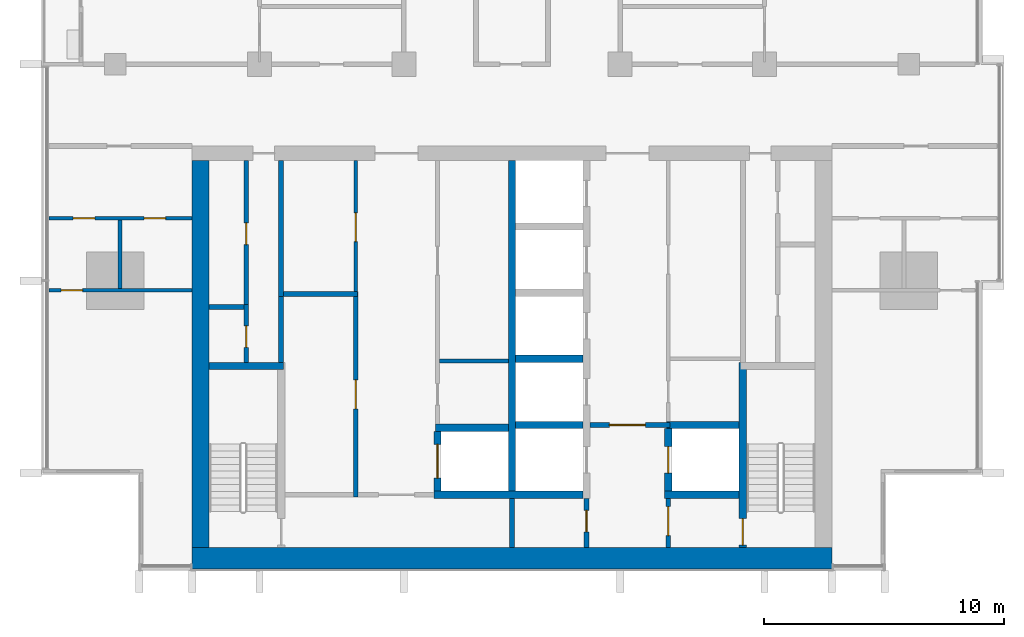
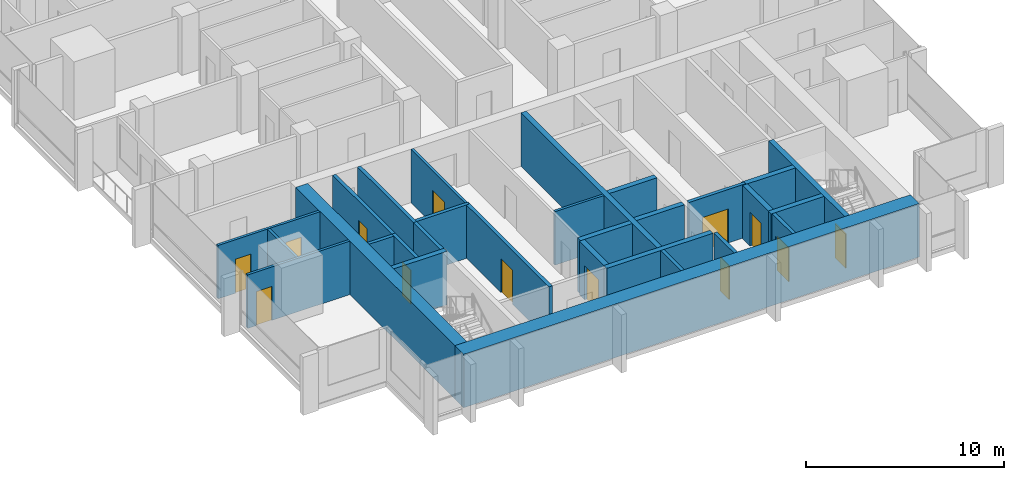
# One storey, part 7 of 16: 29 walls, 13 doors, 13 openings.
"""IFC4 building model written with IfcOpenShell, lengths in metres."""

import ifcopenshell
import ifcopenshell.guid

model = None  # the IFC model being written
_history = None  # IfcOwnerHistory: only IFC2X3 demands one
_inside = {}  # id of a spatial element -> (the spatial element, [elements in it])
_under = {}  # id of a project, library or spatial element -> (it, [spatial elements below it])
_declared = {}  # id of a project -> (the project, [libraries it declares])
_typed = {}  # id of a type object -> (the type object, [elements of that type])
_made_of = {}  # id of a material, layer set ... -> (it, [elements and type objects made of it])


def new_model(schema):
    """Start an empty IFC model of exactly this schema.

    Asked for "IFC4X3", IfcOpenShell would pick the latest addendum, in which some entities
    have other attributes; the version numbers below select the first issue.
    IFC2X3 requires an IfcOwnerHistory on every rooted entity: one is made here for all.
    """
    global model, _history
    if schema == "IFC4X3":
        model = ifcopenshell.file(schema_version=(4, 3, 0, 0))
    else:
        model = ifcopenshell.file(schema=schema)
    _inside.clear()
    _under.clear()
    _declared.clear()
    _typed.clear()
    _made_of.clear()
    _history = None
    if model.schema == "IFC2X3":
        org = make("IfcOrganization", Name="unknown")
        user = make(
            "IfcPersonAndOrganization",
            ThePerson=make("IfcPerson", FamilyName="unknown"),
            TheOrganization=org,
        )
        app = make(
            "IfcApplication",
            ApplicationDeveloper=org,
            Version="unknown",
            ApplicationFullName="unknown",
            ApplicationIdentifier="unknown",
        )
        _history = make(
            "IfcOwnerHistory",
            OwningUser=user,
            OwningApplication=app,
            ChangeAction="ADDED",
            CreationDate=0,
        )
    return model


def make(cls, **values):
    """One entity of the class cls with the attributes given. An attribute that is None is left unset."""
    return model.create_entity(
        cls, **{name: value for name, value in values.items() if value is not None}
    )


def rooted(cls, **values):
    """An entity with a GlobalId (a new one), such as an element, a storey or a relation."""
    return make(cls, GlobalId=ifcopenshell.guid.new(), OwnerHistory=_history, **values)


def si_unit(unit_type, name, prefix=None):
    """IfcSIUnit, for example si_unit("LENGTHUNIT", "METRE", prefix="MILLI")."""
    return make("IfcSIUnit", UnitType=unit_type, Prefix=prefix, Name=name)


def assignment(units):
    """IfcUnitAssignment: the units of a project."""
    return None if units is None else make("IfcUnitAssignment", Units=units)


def point(xyz):
    """IfcCartesianPoint."""
    return None if xyz is None else make("IfcCartesianPoint", Coordinates=xyz)


def direction(xyz):
    """IfcDirection."""
    return None if xyz is None else make("IfcDirection", DirectionRatios=xyz)


def frame(location, z_axis=None, x_axis=None):
    """IfcAxis2Placement3D, a coordinate frame: its origin and axes. An axis left out is left unset."""
    return make(
        "IfcAxis2Placement3D",
        Location=point(location),
        Axis=direction(z_axis),
        RefDirection=direction(x_axis),
    )


def frame_2d(location, x_axis=None):
    """IfcAxis2Placement2D, a coordinate frame in the plane: its origin and x axis."""
    return make(
        "IfcAxis2Placement2D", Location=point(location), RefDirection=direction(x_axis)
    )


def origin():
    """The frame at (0, 0, 0) with its axes left unset."""
    return frame((0.0, 0.0, 0.0))


def place(relative_to, where):
    """IfcLocalPlacement: puts the frame where relative to a parent placement (None: the world)."""
    return make(
        "IfcLocalPlacement", PlacementRelTo=relative_to, RelativePlacement=where
    )


def context(
    kind, dimensions, precision=None, world=None, true_north=None, identifier=None
):
    """IfcGeometricRepresentationContext, for example the 3D "Model" context."""
    return make(
        "IfcGeometricRepresentationContext",
        ContextIdentifier=identifier,
        ContextType=kind,
        CoordinateSpaceDimension=dimensions,
        Precision=precision,
        WorldCoordinateSystem=world,
        TrueNorth=true_north,
    )


def subcontext(parent, identifier, kind, view, scale=None):
    """IfcGeometricRepresentationSubContext, for example "Body" below "Model"."""
    return make(
        "IfcGeometricRepresentationSubContext",
        ContextIdentifier=identifier,
        ContextType=kind,
        ParentContext=parent,
        TargetScale=scale,
        TargetView=view,
    )


def project(units=None, contexts=None):
    """IfcProject with its units and contexts."""
    return rooted(
        "IfcProject",
        Name="project",
        RepresentationContexts=contexts,
        UnitsInContext=assignment(units),
    )


def spatial(cls, under=None, at=None, **own):
    """A site, building, storey or space (cls), placed at a placement, below another one or the project."""
    s = rooted(cls, ObjectPlacement=at, **own)
    if under is not None:
        _under.setdefault(under.id(), (under, []))[1].append(s)
    return s


def profile(cls, at=None, kind="AREA", **sizes):
    """A parametric profile (cls). Its sizes go by their IFC names, for example OverallWidth=200.0."""
    return make(cls, ProfileType=kind, Position=at, **sizes)


def rectangle(**sizes):
    """IfcRectangleProfileDef."""
    return profile("IfcRectangleProfileDef", **sizes)


def extrude(swept, where, along, depth):
    """IfcExtrudedAreaSolid: the profile swept, set in the frame where, extruded along a direction by depth."""
    return make(
        "IfcExtrudedAreaSolid",
        SweptArea=swept,
        Position=where,
        ExtrudedDirection=direction(along),
        Depth=depth,
    )


def shape(context_of_items, identifier, shape_type, items):
    """IfcShapeRepresentation: the items that make up one representation, for example the "Body"."""
    return make(
        "IfcShapeRepresentation",
        ContextOfItems=context_of_items,
        RepresentationIdentifier=identifier,
        RepresentationType=shape_type,
        Items=items,
    )


def material(Name=None, Category=None):
    """IfcMaterial."""
    return make("IfcMaterial", Name=Name, Category=Category)


def layer(
    of_material, thickness, ventilated=None, Name=None, Category=None, Priority=None
):
    """IfcMaterialLayer: one layer of a wall or slab, of a material (None: an air gap)."""
    return make(
        "IfcMaterialLayer",
        Material=of_material,
        LayerThickness=thickness,
        IsVentilated=ventilated,
        Name=Name,
        Category=Category,
        Priority=Priority,
    )


def layer_set(layers, Name=None):
    """IfcMaterialLayerSet."""
    return make("IfcMaterialLayerSet", MaterialLayers=layers, LayerSetName=Name)


def made_of(thing, what):
    """Note that an element or type object is made of a material, layer set ...; save() writes the relation."""
    if what is not None:
        _made_of.setdefault(what.id(), (what, []))[1].append(thing)
    return thing


def type_object(cls, material=None, **own):
    """A type object (cls), such as IfcWallType, which elements share."""
    return made_of(rooted(cls, **own), material)


def element(
    cls,
    number,
    at=None,
    inside=None,
    cuts=None,
    type_object=None,
    material=None,
    context=None,
    identifier="Body",
    shape_type=None,
    held_by="IfcProductDefinitionShape",
    body=None,
    shapes=None,
    **own,
):
    """One element of the class cls, such as IfcWall. Its Tag is "e" and its number.

    at: its placement. inside: the storey or other place that contains it. cuts: it is an
    opening in that element (IfcRelVoidsElement). A single representation is given by context,
    identifier, shape_type and body (its items); several are given by shapes. held_by: the class
    of the entity that holds the representations. save() writes the other relations.
    """
    e = rooted(cls, Tag="e%d" % number, ObjectPlacement=at, **own)
    if body is not None:
        shapes = [shape(context, identifier, shape_type, body)]
    if shapes is not None:
        e.Representation = make(held_by, Representations=shapes)
    if inside is not None:
        _inside.setdefault(inside.id(), (inside, []))[1].append(e)
    if cuts is not None:
        rooted(
            "IfcRelVoidsElement", RelatingBuildingElement=cuts, RelatedOpeningElement=e
        )
    if type_object is not None:
        _typed.setdefault(type_object.id(), (type_object, []))[1].append(e)
    return made_of(e, material)


def fill(opening, filler):
    """IfcRelFillsElement: the door or window that sits in an opening."""
    return rooted(
        "IfcRelFillsElement",
        RelatingOpeningElement=opening,
        RelatedBuildingElement=filler,
    )


def aggregate(whole, parts):
    """IfcRelAggregates: a whole, such as a stair, and the parts it consists of."""
    return rooted("IfcRelAggregates", RelatingObject=whole, RelatedObjects=parts)


def save(model, path):
    """Write the relations noted so far, then the file.

    IfcRelAggregates (storeys below a building ...), IfcRelContainedInSpatialStructure (elements
    in a storey), IfcRelDefinesByType, IfcRelAssociatesMaterial and IfcRelDeclares: one each for
    every whole, place, type object, material and project.
    """
    for whole, parts in _under.values():
        aggregate(whole, parts)
    for where, things in _inside.values():
        rooted(
            "IfcRelContainedInSpatialStructure",
            RelatedElements=things,
            RelatingStructure=where,
        )
    for kind, things in _typed.values():
        rooted("IfcRelDefinesByType", RelatedObjects=things, RelatingType=kind)
    for what, things in _made_of.values():
        rooted("IfcRelAssociatesMaterial", RelatedObjects=things, RelatingMaterial=what)
    for by, libraries in _declared.values():
        rooted("IfcRelDeclares", RelatingContext=by, RelatedDefinitions=libraries)
    model.write(path)


model = new_model("IFC4")

# Units and contexts
model_context = context("Model", 3, precision=1e-05, world=origin(), true_north=direction((0.0, 1.0)))
body_context = subcontext(model_context, "Body", "Model", "MODEL_VIEW")
ifc_project = project(units=[si_unit("LENGTHUNIT", "METRE"), si_unit("AREAUNIT", "SQUARE_METRE"), si_unit("VOLUMEUNIT", "CUBIC_METRE"), si_unit("PLANEANGLEUNIT", "RADIAN"), si_unit("MASSUNIT", "GRAM", prefix="KILO")], contexts=[model_context])

# Site, building, storey
site_placement = place(None, origin())
site = spatial("IfcSite", under=ifc_project, at=site_placement, CompositionType="ELEMENT")
building_placement = place(site_placement, origin())
building = spatial("IfcBuilding", under=site, at=building_placement, Name="Finial Court Residences", CompositionType="ELEMENT")
storey_placement = place(building_placement, frame((0.0, 0.0, 178.10009765625)))
storey = spatial("IfcBuildingStorey", under=building, at=storey_placement, Name="L44", CompositionType="ELEMENT", Elevation=178.10009765625)

# Walls
ifc_material_1 = material(Name="Concrete C70/85", Category="concrete")
ifc_layer_1 = layer(ifc_material_1, 0.699951171875)
ifc_layer_set_1 = layer_set([ifc_layer_1], Name="Core outer wall 700 Concrete C70/85")
wall_type_1 = type_object("IfcWallType", Name="Core outer wall 700 Concrete C70/85", PredefinedType="SHEAR", material=ifc_layer_set_1)
wall_1_placement = place(storey_placement, frame((-12.949951171875, -24.60009765625, 0.0), z_axis=(0.0, 0.0, 1.0), x_axis=(0.0, 1.0, 0.0)))
element("IfcWall", 1, at=wall_1_placement, inside=storey, type_object=wall_type_1, Name="Core outer wall L44-03", PredefinedType="SHEAR", context=body_context, shape_type="SweptSolid", body=[
    extrude(rectangle(XDim=16.10009765625, YDim=0.699951171875, at=frame_2d((8.050048828125, 0.0))), origin(), (0.0, 0.0, 1.0), 3.2998046875),
])
ifc_material_2 = material(Name="Fire-rated gypsum board partition")
ifc_layer_2 = layer(ifc_material_2, 0.14990234375)
ifc_layer_set_2 = layer_set([ifc_layer_2], Name="Core room partition 150 EI 60")
wall_type_2 = type_object("IfcWallType", Name="Core room partition 150 EI 60", PredefinedType="PARTITIONING", material=ifc_layer_set_2)
wall_2_placement = place(storey_placement, frame((-3.02490234375, -16.840087890625, 0.0), z_axis=(0.0, 0.0, 1.0), x_axis=(1.0, 0.0, 0.0)))
element("IfcWall", 2, at=wall_2_placement, inside=storey, type_object=wall_type_2, Name="Core partition L44-11", PredefinedType="PARTITIONING", context=body_context, shape_type="SweptSolid", body=[
    extrude(rectangle(XDim=2.875, YDim=0.14990234375, at=frame_2d((1.4375, 0.0))), origin(), (0.0, 0.0, 1.0), 3.2998046875),
])

# Wall, opening, door
wall_3_placement = place(storey_placement, frame((-6.5, -13.9599609375, 0.0), z_axis=(0.0, 0.0, 1.0), x_axis=(0.0, 1.0, 0.0)))
wall_3 = element("IfcWall", 3, at=wall_3_placement, inside=storey, type_object=wall_type_2, Name="Core partition L44-25", PredefinedType="PARTITIONING", context=body_context, shape_type="SweptSolid", body=[
    extrude(rectangle(XDim=5.4599609375, YDim=0.14990234375, at=frame_2d((2.72998046875, 0.0))), origin(), (0.0, 0.0, 1.0), 3.2998046875),
])
opening_1_placement = place(wall_3_placement, frame((2.080078125, 0.0, 0.0)))
opening_1 = element("IfcOpeningElement", 4, at=opening_1_placement, cuts=wall_3, Name="Opening L44-C14", PredefinedType="OPENING", context=body_context, shape_type="SweptSolid", body=[
    extrude(rectangle(XDim=1.199951171875, YDim=2.10009765625, at=frame_2d((0.60009765625, 1.050048828125))), frame((0.0, 0.0849609375, 0.0), z_axis=(0.0, -1.0, 0.0), x_axis=(1.0, 0.0, 0.0)), (0.0, 0.0, 1.0), 0.169921875),
])
ifc_material_3 = material(Name="Steel fire door", Category="steel")
door_type_1 = type_object("IfcDoorType", Name="Core room door 1200 x 2100 EI 60", OperationType="NOTDEFINED", PredefinedType="DOOR", material=ifc_material_3)
door_1_placement = place(opening_1_placement, origin())
door_1 = element("IfcDoor", 5, at=door_1_placement, inside=storey, type_object=door_type_1, Name="Core room door L44-C14", OperationType="SINGLE_SWING_RIGHT", OverallHeight=2.10009765625, OverallWidth=1.199951171875, PredefinedType="DOOR", context=body_context, shape_type="SweptSolid", body=[
    extrude(rectangle(XDim=1.199951171875, YDim=2.10009765625, at=frame_2d((0.60009765625, 1.050048828125))), frame((0.0, 0.02490234375, 0.0), z_axis=(0.0, -1.0, 0.0), x_axis=(1.0, 0.0, 0.0)), (0.0, 0.0, 1.0), 0.050048828125),
])
fill(opening_1, door_1)

# Wall
ifc_layer_3 = layer(ifc_material_1, 0.89990234375)
ifc_layer_set_3 = layer_set([ifc_layer_3], Name="Core south facade wall 900 Concrete C70/85")
wall_type_3 = type_object("IfcWallType", Name="Core south facade wall 900 Concrete C70/85", PredefinedType="SHEAR", material=ifc_layer_set_3)
wall_4_placement = place(storey_placement, frame((-13.300048828125, -25.050048828125, 0.0), z_axis=(0.0, 0.0, 1.0), x_axis=(1.0, 0.0, 0.0)))
element("IfcWall", 6, at=wall_4_placement, inside=storey, type_object=wall_type_3, Name="Core outer wall L44-01", PredefinedType="SHEAR", context=body_context, shape_type="SweptSolid", body=[
    extrude(rectangle(XDim=26.60009765625, YDim=0.89990234375, at=frame_2d((13.300048828125, 0.0))), origin(), (0.0, 0.0, 1.0), 3.2998046875),
])

# Wall, opening, door
ifc_layer_4 = layer(ifc_material_2, 0.199951171875)
ifc_layer_set_4 = layer_set([ifc_layer_4], Name="Firefighting lobby wall 200 EI 120")
wall_type_4 = type_object("IfcWallType", Name="Firefighting lobby wall 200 EI 120", PredefinedType="PARTITIONING", material=ifc_layer_set_4)
wall_5_placement = place(storey_placement, frame((6.574951171875, -19.5, 0.0), z_axis=(0.0, 0.0, 1.0), x_axis=(-1.0, 0.0, 0.0)))
wall_5 = element("IfcWall", 7, at=wall_5_placement, inside=storey, type_object=wall_type_4, Name="Core partition L44-07", PredefinedType="PARTITIONING", context=body_context, shape_type="SweptSolid", body=[
    extrude(rectangle(XDim=3.324951171875, YDim=0.199951171875, at=frame_2d((1.66259765625, 0.0))), origin(), (0.0, 0.0, 1.0), 3.2998046875),
])
opening_2_placement = place(wall_5_placement, frame((1.02490234375, 0.0, 0.0)))
opening_2 = element("IfcOpeningElement", 8, at=opening_2_placement, cuts=wall_5, Name="Opening L44-C02", PredefinedType="OPENING", context=body_context, shape_type="SweptSolid", body=[
    extrude(rectangle(XDim=1.5, YDim=2.10009765625, at=frame_2d((0.75, 1.050048828125))), frame((0.0, 0.10986328125, 0.0), z_axis=(0.0, -1.0, 0.0), x_axis=(1.0, 0.0, 0.0)), (0.0, 0.0, 1.0), 0.219970703125),
])
door_type_2 = type_object("IfcDoorType", Name="Firefighting lobby door 1500 x 2100 EI 90", OperationType="DOUBLE_DOOR_SINGLE_SWING", PredefinedType="DOOR", material=ifc_material_3)
door_2_placement = place(opening_2_placement, origin())
door_2 = element("IfcDoor", 9, at=door_2_placement, inside=storey, type_object=door_type_2, Name="Firefighting lobby door L44-C02", OperationType="DOUBLE_DOOR_SINGLE_SWING", OverallHeight=2.10009765625, OverallWidth=1.5, PredefinedType="DOOR", context=body_context, shape_type="SweptSolid", body=[
    extrude(rectangle(XDim=1.5, YDim=2.10009765625, at=frame_2d((0.75, 1.050048828125))), frame((0.0, 0.02490234375, 0.0), z_axis=(0.0, -1.0, 0.0), x_axis=(1.0, 0.0, 0.0)), (0.0, 0.0, 1.0), 0.050048828125),
])
fill(opening_2, door_2)

wall_6_placement = place(storey_placement, frame((3.10009765625, -24.60009765625, 0.0), z_axis=(0.0, 0.0, 1.0), x_axis=(0.0, 1.0, 0.0)))
wall_6 = element("IfcWall", 10, at=wall_6_placement, inside=storey, type_object=wall_type_4, Name="Core partition L44-30", PredefinedType="PARTITIONING", context=body_context, shape_type="SweptSolid", body=[
    extrude(rectangle(XDim=2.050048828125, YDim=0.199951171875, at=frame_2d((1.02490234375, 0.0))), origin(), (0.0, 0.0, 1.0), 3.2998046875),
])
opening_3_placement = place(wall_6_placement, frame((0.64990234375, 0.0, 0.0)))
opening_3 = element("IfcOpeningElement", 11, at=opening_3_placement, cuts=wall_6, Name="Opening L44-C06", PredefinedType="OPENING", context=body_context, shape_type="SweptSolid", body=[
    extrude(rectangle(XDim=0.89990234375, YDim=2.10009765625, at=frame_2d((0.449951171875, 1.050048828125))), frame((0.0, 0.10986328125, 0.0), z_axis=(0.0, -1.0, 0.0), x_axis=(1.0, 0.0, 0.0)), (0.0, 0.0, 1.0), 0.219970703125),
])
door_type_3 = type_object("IfcDoorType", Name="Riser room door 900 x 2100 EI 90", OperationType="NOTDEFINED", PredefinedType="DOOR", material=ifc_material_3)
door_3_placement = place(opening_3_placement, origin())
door_3 = element("IfcDoor", 12, at=door_3_placement, inside=storey, type_object=door_type_3, Name="Riser room door L44-C06", OperationType="SINGLE_SWING_LEFT", OverallHeight=2.10009765625, OverallWidth=0.89990234375, PredefinedType="DOOR", context=body_context, shape_type="SweptSolid", body=[
    extrude(rectangle(XDim=0.89990234375, YDim=2.10009765625, at=frame_2d((0.449951171875, 1.050048828125))), frame((0.0, 0.02490234375, 0.0), z_axis=(0.0, -1.0, 0.0), x_axis=(1.0, 0.0, 0.0)), (0.0, 0.0, 1.0), 0.050048828125),
])
fill(opening_3, door_3)

wall_7_placement = place(storey_placement, frame((6.5, -22.550048828125, 0.0), z_axis=(0.0, 0.0, 1.0), x_axis=(0.0, -1.0, 0.0)))
wall_7 = element("IfcWall", 13, at=wall_7_placement, inside=storey, type_object=wall_type_4, Name="Core partition L44-32", PredefinedType="PARTITIONING", context=body_context, shape_type="SweptSolid", body=[
    extrude(rectangle(XDim=2.050048828125, YDim=0.199951171875, at=frame_2d((1.02490234375, 0.0))), origin(), (0.0, 0.0, 1.0), 3.2998046875),
])
opening_4_placement = place(wall_7_placement, frame((0.35009765625, 0.0, 0.0)))
opening_4 = element("IfcOpeningElement", 14, at=opening_4_placement, cuts=wall_7, Name="Opening L44-C01", PredefinedType="OPENING", context=body_context, shape_type="SweptSolid", body=[
    extrude(rectangle(XDim=1.199951171875, YDim=2.10009765625, at=frame_2d((0.60009765625, 1.050048828125))), frame((0.0, 0.10986328125, 0.0), z_axis=(0.0, -1.0, 0.0), x_axis=(1.0, 0.0, 0.0)), (0.0, 0.0, 1.0), 0.219970703125),
])
door_type_4 = type_object("IfcDoorType", Name="Firefighting lobby door 1200 x 2100 EI 90", OperationType="NOTDEFINED", PredefinedType="DOOR", material=ifc_material_3)
door_4_placement = place(opening_4_placement, origin())
door_4 = element("IfcDoor", 15, at=door_4_placement, inside=storey, type_object=door_type_4, Name="Firefighting lobby door L44-C01", OperationType="SINGLE_SWING_RIGHT", OverallHeight=2.10009765625, OverallWidth=1.199951171875, PredefinedType="DOOR", context=body_context, shape_type="SweptSolid", body=[
    extrude(rectangle(XDim=1.199951171875, YDim=2.10009765625, at=frame_2d((0.60009765625, 1.050048828125))), frame((0.0, 0.02490234375, 0.0), z_axis=(0.0, -1.0, 0.0), x_axis=(1.0, 0.0, 0.0)), (0.0, 0.0, 1.0), 0.050048828125),
])
fill(opening_4, door_4)

ifc_material_4 = material(Name="Moisture-resistant gypsum board")
ifc_layer_5 = layer(ifc_material_4, 0.012451171875)
ifc_material_5 = material(Name="Mineral wool in light-gauge frame")
ifc_layer_6 = layer(ifc_material_5, 0.125)
ifc_layer_7 = layer(ifc_material_4, 0.012451171875)
ifc_layer_set_5 = layer_set([ifc_layer_5, ifc_layer_6, ifc_layer_7], Name="Gypsum board wet-area partition 150")
wall_type_5 = type_object("IfcWallType", Name="Gypsum board wet-area partition 150", PredefinedType="PARTITIONING", material=ifc_layer_set_5)
wall_8_placement = place(storey_placement, frame((-19.262451171875, -13.89990234375, 0.0), z_axis=(0.0, 0.0, 1.0), x_axis=(1.0, 0.0, 0.0)))
wall_8 = element("IfcWall", 16, at=wall_8_placement, inside=storey, type_object=wall_type_5, Name="Partition L44-000", PredefinedType="PARTITIONING", context=body_context, shape_type="SweptSolid", body=[
    extrude(rectangle(XDim=5.96240234375, YDim=0.14990234375, at=frame_2d((2.981201171875, 0.0))), origin(), (0.0, 0.0, 1.0), 3.2998046875),
])
opening_5_placement = place(wall_8_placement, frame((0.511962890625, 0.0, 0.0)))
opening_5 = element("IfcOpeningElement", 17, at=opening_5_placement, cuts=wall_8, Name="Opening L44-D001", PredefinedType="OPENING", context=body_context, shape_type="SweptSolid", body=[
    extrude(rectangle(XDim=0.89990234375, YDim=2.10009765625, at=frame_2d((0.449951171875, 1.050048828125))), frame((0.0, 0.0849609375, 0.0), z_axis=(0.0, -1.0, 0.0), x_axis=(1.0, 0.0, 0.0)), (0.0, 0.0, 1.0), 0.169921875),
])
ifc_material_6 = material(Name="Timber door leaf in timber frame", Category="wood")
door_type_5 = type_object("IfcDoorType", Name="Door set 900 x 2100", OperationType="SINGLE_SWING_LEFT", PredefinedType="DOOR", material=ifc_material_6)
door_5_placement = place(opening_5_placement, origin())
door_5 = element("IfcDoor", 18, at=door_5_placement, inside=storey, type_object=door_type_5, Name="Door L44-D001", OperationType="SINGLE_SWING_LEFT", OverallHeight=2.10009765625, OverallWidth=0.89990234375, PredefinedType="DOOR", context=body_context, shape_type="SweptSolid", body=[
    extrude(rectangle(XDim=0.89990234375, YDim=2.10009765625, at=frame_2d((0.449951171875, 1.050048828125))), frame((0.0, 0.02490234375, 0.0), z_axis=(0.0, -1.0, 0.0), x_axis=(1.0, 0.0, 0.0)), (0.0, 0.0, 1.0), 0.050048828125),
])
fill(opening_5, door_5)

# Wall, openings, doors
wall_9_placement = place(storey_placement, frame((-19.262451171875, -10.89990234375, 0.0), z_axis=(0.0, 0.0, 1.0), x_axis=(1.0, 0.0, 0.0)))
wall_9 = element("IfcWall", 19, at=wall_9_placement, inside=storey, type_object=wall_type_5, Name="Partition L44-002", PredefinedType="PARTITIONING", context=body_context, shape_type="SweptSolid", body=[
    extrude(rectangle(XDim=5.96240234375, YDim=0.14990234375, at=frame_2d((2.981201171875, 0.0))), origin(), (0.0, 0.0, 1.0), 3.2998046875),
])
opening_6_placement = place(wall_9_placement, frame((1.011962890625, 0.0, 0.0)))
opening_6 = element("IfcOpeningElement", 20, at=opening_6_placement, cuts=wall_9, Name="Opening L44-D003", PredefinedType="OPENING", context=body_context, shape_type="SweptSolid", body=[
    extrude(rectangle(XDim=0.89990234375, YDim=2.10009765625, at=frame_2d((0.449951171875, 1.050048828125))), frame((0.0, 0.0849609375, 0.0), z_axis=(0.0, -1.0, 0.0), x_axis=(1.0, 0.0, 0.0)), (0.0, 0.0, 1.0), 0.169921875),
])
opening_7_placement = place(wall_9_placement, frame((3.962890625, 0.0, 0.0)))
opening_7 = element("IfcOpeningElement", 21, at=opening_7_placement, cuts=wall_9, Name="Opening L44-D004", PredefinedType="OPENING", context=body_context, shape_type="SweptSolid", body=[
    extrude(rectangle(XDim=0.89990234375, YDim=2.10009765625, at=frame_2d((0.449951171875, 1.050048828125))), frame((0.0, 0.0849609375, 0.0), z_axis=(0.0, -1.0, 0.0), x_axis=(1.0, 0.0, 0.0)), (0.0, 0.0, 1.0), 0.169921875),
])
door_6_placement = place(opening_6_placement, origin())
door_6 = element("IfcDoor", 22, at=door_6_placement, inside=storey, type_object=door_type_5, Name="Door L44-D003", OperationType="SINGLE_SWING_LEFT", OverallHeight=2.10009765625, OverallWidth=0.89990234375, PredefinedType="DOOR", context=body_context, shape_type="SweptSolid", body=[
    extrude(rectangle(XDim=0.89990234375, YDim=2.10009765625, at=frame_2d((0.449951171875, 1.050048828125))), frame((0.0, 0.02490234375, 0.0), z_axis=(0.0, -1.0, 0.0), x_axis=(1.0, 0.0, 0.0)), (0.0, 0.0, 1.0), 0.050048828125),
])
fill(opening_6, door_6)
door_7_placement = place(opening_7_placement, origin())
door_7 = element("IfcDoor", 23, at=door_7_placement, inside=storey, type_object=door_type_5, Name="Door L44-D004", OperationType="SINGLE_SWING_RIGHT", OverallHeight=2.10009765625, OverallWidth=0.89990234375, PredefinedType="DOOR", context=body_context, shape_type="SweptSolid", body=[
    extrude(rectangle(XDim=0.89990234375, YDim=2.10009765625, at=frame_2d((0.449951171875, 1.050048828125))), frame((0.0, 0.02490234375, 0.0), z_axis=(0.0, -1.0, 0.0), x_axis=(1.0, 0.0, 0.0)), (0.0, 0.0, 1.0), 0.050048828125),
])
fill(opening_7, door_7)

# Walls
wall_10_placement = place(storey_placement, frame((-16.300048828125, -13.824951171875, 0.0), z_axis=(0.0, 0.0, 1.0), x_axis=(0.0, 1.0, 0.0)))
element("IfcWall", 24, at=wall_10_placement, inside=storey, type_object=wall_type_5, Name="Partition L44-035", PredefinedType="PARTITIONING", context=body_context, shape_type="SweptSolid", body=[
    extrude(rectangle(XDim=2.849853515625, YDim=0.14990234375, at=frame_2d((1.4248046875, 0.0))), origin(), (0.0, 0.0, 1.0), 3.2998046875),
])
ifc_layer_8 = layer(ifc_material_1, 0.300048828125)
ifc_layer_set_6 = layer_set([ifc_layer_8], Name="Lift shaft and stair wall 300 Concrete C70/85")
wall_type_6 = type_object("IfcWallType", Name="Lift shaft and stair wall 300 Concrete C70/85", PredefinedType="SHEAR", material=ifc_layer_set_6)
wall_11_placement = place(storey_placement, frame((-3.25, -22.39990234375, 0.0), z_axis=(0.0, 0.0, 1.0), x_axis=(1.0, 0.0, 0.0)))
element("IfcWall", 25, at=wall_11_placement, inside=storey, type_object=wall_type_6, Name="Core wall L44-03", PredefinedType="SHEAR", context=body_context, shape_type="SweptSolid", body=[
    extrude(rectangle(XDim=6.199951171875, YDim=0.300048828125, at=frame_2d((3.10009765625, 0.0))), origin(), (0.0, 0.0, 1.0), 3.2998046875),
])
wall_12_placement = place(storey_placement, frame((6.35009765625, -22.39990234375, 0.0), z_axis=(0.0, 0.0, 1.0), x_axis=(1.0, 0.0, 0.0)))
element("IfcWall", 26, at=wall_12_placement, inside=storey, type_object=wall_type_6, Name="Core wall L44-04", PredefinedType="SHEAR", context=body_context, shape_type="SweptSolid", body=[
    extrude(rectangle(XDim=3.099853515625, YDim=0.300048828125, at=frame_2d((1.5498046875, 0.0))), origin(), (0.0, 0.0, 1.0), 3.2998046875),
])
wall_13_placement = place(storey_placement, frame((-3.175048828125, -19.6201171875, 0.0), z_axis=(0.0, 0.0, 1.0), x_axis=(1.0, 0.0, 0.0)))
element("IfcWall", 27, at=wall_13_placement, inside=storey, type_object=wall_type_6, Name="Core wall L44-05", PredefinedType="SHEAR", context=body_context, shape_type="SweptSolid", body=[
    extrude(rectangle(XDim=3.025146484375, YDim=0.300048828125, at=frame_2d((1.5126953125, 0.0))), origin(), (0.0, 0.0, 1.0), 3.2998046875),
])
wall_14_placement = place(storey_placement, frame((0.14990234375, -19.5, 0.0), z_axis=(0.0, 0.0, 1.0), x_axis=(1.0, 0.0, 0.0)))
element("IfcWall", 28, at=wall_14_placement, inside=storey, type_object=wall_type_6, Name="Core wall L44-06", PredefinedType="SHEAR", context=body_context, shape_type="SweptSolid", body=[
    extrude(rectangle(XDim=2.800048828125, YDim=0.300048828125, at=frame_2d((1.39990234375, 0.0))), origin(), (0.0, 0.0, 1.0), 3.2998046875),
])
wall_15_placement = place(storey_placement, frame((6.425048828125, -19.5, 0.0), z_axis=(0.0, 0.0, 1.0), x_axis=(1.0, 0.0, 0.0)))
element("IfcWall", 29, at=wall_15_placement, inside=storey, type_object=wall_type_6, Name="Core wall L44-08", PredefinedType="SHEAR", context=body_context, shape_type="SweptSolid", body=[
    extrude(rectangle(XDim=3.02490234375, YDim=0.300048828125, at=frame_2d((1.512451171875, 0.0))), origin(), (0.0, 0.0, 1.0), 3.2998046875),
])
wall_16_placement = place(storey_placement, frame((-12.60009765625, -17.050048828125, 0.0), z_axis=(0.0, 0.0, 1.0), x_axis=(1.0, 0.0, 0.0)))
element("IfcWall", 30, at=wall_16_placement, inside=storey, type_object=wall_type_6, Name="Core wall L44-09", PredefinedType="SHEAR", context=body_context, shape_type="SweptSolid", body=[
    extrude(rectangle(XDim=3.10009765625, YDim=0.300048828125, at=frame_2d((1.550048828125, 0.0))), origin(), (0.0, 0.0, 1.0), 3.2998046875),
])
wall_17_placement = place(storey_placement, frame((0.14990234375, -16.75, 0.0), z_axis=(0.0, 0.0, 1.0), x_axis=(1.0, 0.0, 0.0)))
element("IfcWall", 31, at=wall_17_placement, inside=storey, type_object=wall_type_6, Name="Core wall L44-12", PredefinedType="SHEAR", context=body_context, shape_type="SweptSolid", body=[
    extrude(rectangle(XDim=2.800048828125, YDim=0.300048828125, at=frame_2d((1.39990234375, 0.0))), origin(), (0.0, 0.0, 1.0), 3.2998046875),
])

# Wall, opening, door
wall_18_placement = place(storey_placement, frame((-3.10009765625, -22.25, 0.0), z_axis=(0.0, 0.0, 1.0), x_axis=(0.0, 1.0, 0.0)))
wall_18 = element("IfcWall", 32, at=wall_18_placement, inside=storey, type_object=wall_type_6, Name="Core wall L44-26", PredefinedType="SHEAR", context=body_context, shape_type="SweptSolid", body=[
    extrude(rectangle(XDim=2.47998046875, YDim=0.300048828125, at=frame_2d((1.239990234375, 0.0))), origin(), (0.0, 0.0, 1.0), 3.2998046875),
])
opening_8_placement = place(wall_18_placement, frame((0.5400390625, 0.0, 0.0)))
opening_8 = element("IfcOpeningElement", 33, at=opening_8_placement, cuts=wall_18, Name="Opening L44-LD07", PredefinedType="OPENING", context=body_context, shape_type="SweptSolid", body=[
    extrude(rectangle(XDim=1.39990234375, YDim=2.10009765625, at=frame_2d((0.699951171875, 1.050048828125))), frame((0.0, 0.159912109375, 0.0), z_axis=(0.0, -1.0, 0.0), x_axis=(1.0, 0.0, 0.0)), (0.0, 0.0, 1.0), 0.320068359375),
])
ifc_material_7 = material(Name="Stainless steel lift door", Category="steel")
door_type_6 = type_object("IfcDoorType", Name="Lift landing door 1400 x 2100 EI 90", OperationType="DOUBLE_DOOR_SLIDING", PredefinedType="DOOR", material=ifc_material_7)
door_8_placement = place(opening_8_placement, origin())
door_8 = element("IfcDoor", 34, at=door_8_placement, inside=storey, type_object=door_type_6, Name="Lift landing door SV1 L44", OperationType="DOUBLE_DOOR_SLIDING", OverallHeight=2.10009765625, OverallWidth=1.39990234375, PredefinedType="DOOR", context=body_context, shape_type="SweptSolid", body=[
    extrude(rectangle(XDim=1.39990234375, YDim=2.10009765625, at=frame_2d((0.699951171875, 1.050048828125))), frame((0.0, 0.02490234375, 0.0), z_axis=(0.0, -1.0, 0.0), x_axis=(1.0, 0.0, 0.0)), (0.0, 0.0, 1.0), 0.050048828125),
])
fill(opening_8, door_8)

# Wall
wall_19_placement = place(storey_placement, frame((0.0, -22.25, 0.0), z_axis=(0.0, 0.0, 1.0), x_axis=(0.0, 1.0, 0.0)))
element("IfcWall", 35, at=wall_19_placement, inside=storey, type_object=wall_type_6, Name="Core wall L44-29", PredefinedType="SHEAR", context=body_context, shape_type="SweptSolid", body=[
    extrude(rectangle(XDim=13.75, YDim=0.300048828125, at=frame_2d((6.875, 0.0))), origin(), (0.0, 0.0, 1.0), 3.2998046875),
])

# Wall, opening, door
wall_20_placement = place(storey_placement, frame((6.5, -22.25, 0.0), z_axis=(0.0, 0.0, 1.0), x_axis=(0.0, 1.0, 0.0)))
wall_20 = element("IfcWall", 36, at=wall_20_placement, inside=storey, type_object=wall_type_6, Name="Core wall L44-33", PredefinedType="SHEAR", context=body_context, shape_type="SweptSolid", body=[
    extrude(rectangle(XDim=2.60009765625, YDim=0.300048828125, at=frame_2d((1.300048828125, 0.0))), origin(), (0.0, 0.0, 1.0), 3.2998046875),
])
opening_9_placement = place(wall_20_placement, frame((0.75, 0.0, 0.0)))
opening_9 = element("IfcOpeningElement", 37, at=opening_9_placement, cuts=wall_20, Name="Opening L44-LD02", PredefinedType="OPENING", context=body_context, shape_type="SweptSolid", body=[
    extrude(rectangle(XDim=1.10009765625, YDim=2.10009765625, at=frame_2d((0.550048828125, 1.050048828125))), frame((0.0, 0.159912109375, 0.0), z_axis=(0.0, -1.0, 0.0), x_axis=(1.0, 0.0, 0.0)), (0.0, 0.0, 1.0), 0.320068359375),
])
door_type_7 = type_object("IfcDoorType", Name="Lift landing door 1100 x 2100 EI 90", OperationType="DOUBLE_DOOR_SLIDING", PredefinedType="DOOR", material=ifc_material_7)
door_9_placement = place(opening_9_placement, origin())
door_9 = element("IfcDoor", 38, at=door_9_placement, inside=storey, type_object=door_type_7, Name="Lift landing door FF2 L44", OperationType="DOUBLE_DOOR_SLIDING", OverallHeight=2.10009765625, OverallWidth=1.10009765625, PredefinedType="DOOR", context=body_context, shape_type="SweptSolid", body=[
    extrude(rectangle(XDim=1.10009765625, YDim=2.10009765625, at=frame_2d((0.550048828125, 1.050048828125))), frame((0.0, 0.02490234375, 0.0), z_axis=(0.0, -1.0, 0.0), x_axis=(1.0, 0.0, 0.0)), (0.0, 0.0, 1.0), 0.050048828125),
])
fill(opening_9, door_9)

wall_21_placement = place(storey_placement, frame((9.60009765625, -16.89990234375, 0.0), z_axis=(0.0, 0.0, 1.0), x_axis=(0.0, -1.0, 0.0)))
wall_21 = element("IfcWall", 39, at=wall_21_placement, inside=storey, type_object=wall_type_6, Name="Core wall L44-35", PredefinedType="SHEAR", context=body_context, shape_type="SweptSolid", body=[
    extrude(rectangle(XDim=7.7001953125, YDim=0.300048828125, at=frame_2d((3.85009765625, 0.0))), origin(), (0.0, 0.0, 1.0), 3.2998046875),
])
opening_10_placement = place(wall_21_placement, frame((6.5, 0.0, 0.0)))
opening_10 = element("IfcOpeningElement", 40, at=opening_10_placement, cuts=wall_21, Name="Opening L44-C20", PredefinedType="OPENING", context=body_context, shape_type="SweptSolid", body=[
    extrude(rectangle(XDim=1.10009765625, YDim=2.10009765625, at=frame_2d((0.550048828125, 1.050048828125))), frame((0.0, 0.159912109375, 0.0), z_axis=(0.0, -1.0, 0.0), x_axis=(1.0, 0.0, 0.0)), (0.0, 0.0, 1.0), 0.320068359375),
])
door_type_8 = type_object("IfcDoorType", Name="Stair door 1100 x 2100 EI 90", OperationType="NOTDEFINED", PredefinedType="DOOR", material=ifc_material_3)
door_10_placement = place(opening_10_placement, origin())
door_10 = element("IfcDoor", 41, at=door_10_placement, inside=storey, type_object=door_type_8, Name="Stair door L44-C20", OperationType="SINGLE_SWING_RIGHT", OverallHeight=2.10009765625, OverallWidth=1.10009765625, PredefinedType="DOOR", context=body_context, shape_type="SweptSolid", body=[
    extrude(rectangle(XDim=1.10009765625, YDim=2.10009765625, at=frame_2d((0.550048828125, 1.050048828125))), frame((0.0, 0.02490234375, 0.0), z_axis=(0.0, -1.0, 0.0), x_axis=(1.0, 0.0, 0.0)), (0.0, 0.0, 1.0), 0.050048828125),
])
fill(opening_10, door_10)

# Walls
ifc_layer_9 = layer(ifc_material_2, 0.199951171875)
ifc_layer_set_7 = layer_set([ifc_layer_9], Name="Riser room wall 200 EI 120")
wall_type_7 = type_object("IfcWallType", Name="Riser room wall 200 EI 120", PredefinedType="PARTITIONING", material=ifc_layer_set_7)
wall_22_placement = place(storey_placement, frame((-12.60009765625, -14.60009765625, 0.0), z_axis=(0.0, 0.0, 1.0), x_axis=(1.0, 0.0, 0.0)))
element("IfcWall", 42, at=wall_22_placement, inside=storey, type_object=wall_type_7, Name="Core partition L44-14", PredefinedType="PARTITIONING", context=body_context, shape_type="SweptSolid", body=[
    extrude(rectangle(XDim=1.4501953125, YDim=0.199951171875, at=frame_2d((0.72509765625, 0.0))), origin(), (0.0, 0.0, 1.0), 3.2998046875),
])
wall_23_placement = place(storey_placement, frame((-9.5, -14.06005859375, 0.0), z_axis=(0.0, 0.0, 1.0), x_axis=(1.0, 0.0, 0.0)))
element("IfcWall", 43, at=wall_23_placement, inside=storey, type_object=wall_type_7, Name="Core partition L44-15", PredefinedType="PARTITIONING", context=body_context, shape_type="SweptSolid", body=[
    extrude(rectangle(XDim=3.074951171875, YDim=0.199951171875, at=frame_2d((1.53759765625, 0.0))), origin(), (0.0, 0.0, 1.0), 3.2998046875),
])

# Wall, opening, door
wall_24_placement = place(storey_placement, frame((-11.050048828125, -14.699951171875, 0.0), z_axis=(0.0, 0.0, 1.0), x_axis=(0.0, 1.0, 0.0)))
wall_24 = element("IfcWall", 44, at=wall_24_placement, inside=storey, type_object=wall_type_7, Name="Core partition L44-20", PredefinedType="PARTITIONING", context=body_context, shape_type="SweptSolid", body=[
    extrude(rectangle(XDim=6.199951171875, YDim=0.199951171875, at=frame_2d((3.10009765625, 0.0))), origin(), (0.0, 0.0, 1.0), 3.2998046875),
])
opening_11_placement = place(wall_24_placement, frame((2.699951171875, 0.0, 0.0)))
opening_11 = element("IfcOpeningElement", 45, at=opening_11_placement, cuts=wall_24, Name="Opening L44-C07", PredefinedType="OPENING", context=body_context, shape_type="SweptSolid", body=[
    extrude(rectangle(XDim=0.89990234375, YDim=2.10009765625, at=frame_2d((0.449951171875, 1.050048828125))), frame((0.0, 0.10986328125, 0.0), z_axis=(0.0, -1.0, 0.0), x_axis=(1.0, 0.0, 0.0)), (0.0, 0.0, 1.0), 0.219970703125),
])
door_11_placement = place(opening_11_placement, origin())
door_11 = element("IfcDoor", 46, at=door_11_placement, inside=storey, type_object=door_type_3, Name="Riser room door L44-C07", OperationType="SINGLE_SWING_LEFT", OverallHeight=2.10009765625, OverallWidth=0.89990234375, PredefinedType="DOOR", context=body_context, shape_type="SweptSolid", body=[
    extrude(rectangle(XDim=0.89990234375, YDim=2.10009765625, at=frame_2d((0.449951171875, 1.050048828125))), frame((0.0, 0.02490234375, 0.0), z_axis=(0.0, -1.0, 0.0), x_axis=(1.0, 0.0, 0.0)), (0.0, 0.0, 1.0), 0.050048828125),
])
fill(opening_11, door_11)

# Wall
wall_25_placement = place(storey_placement, frame((-9.60009765625, -16.89990234375, 0.0), z_axis=(0.0, 0.0, 1.0), x_axis=(0.0, 1.0, 0.0)))
element("IfcWall", 47, at=wall_25_placement, inside=storey, type_object=wall_type_7, Name="Core partition L44-22", PredefinedType="PARTITIONING", context=body_context, shape_type="SweptSolid", body=[
    extrude(rectangle(XDim=2.739990234375, YDim=0.199951171875, at=frame_2d((1.3701171875, 0.0))), origin(), (0.0, 0.0, 1.0), 3.2998046875),
])

# Wall, opening, door
wall_26_placement = place(storey_placement, frame((-6.5, -22.5, 0.0), z_axis=(0.0, 0.0, 1.0), x_axis=(0.0, 1.0, 0.0)))
wall_26 = element("IfcWall", 48, at=wall_26_placement, inside=storey, type_object=wall_type_7, Name="Core partition L44-24", PredefinedType="PARTITIONING", context=body_context, shape_type="SweptSolid", body=[
    extrude(rectangle(XDim=8.5400390625, YDim=0.199951171875, at=frame_2d((4.27001953125, 0.0))), origin(), (0.0, 0.0, 1.0), 3.2998046875),
])
opening_12_placement = place(wall_26_placement, frame((3.669921875, 0.0, 0.0)))
opening_12 = element("IfcOpeningElement", 49, at=opening_12_placement, cuts=wall_26, Name="Opening L44-C09", PredefinedType="OPENING", context=body_context, shape_type="SweptSolid", body=[
    extrude(rectangle(XDim=1.199951171875, YDim=2.10009765625, at=frame_2d((0.60009765625, 1.050048828125))), frame((0.0, 0.10986328125, 0.0), z_axis=(0.0, -1.0, 0.0), x_axis=(1.0, 0.0, 0.0)), (0.0, 0.0, 1.0), 0.219970703125),
])
door_type_9 = type_object("IfcDoorType", Name="Riser room door 1200 x 2100 EI 90", OperationType="NOTDEFINED", PredefinedType="DOOR", material=ifc_material_3)
door_12_placement = place(opening_12_placement, origin())
door_12 = element("IfcDoor", 50, at=door_12_placement, inside=storey, type_object=door_type_9, Name="Riser room door L44-C09", OperationType="SINGLE_SWING_LEFT", OverallHeight=2.10009765625, OverallWidth=1.199951171875, PredefinedType="DOOR", context=body_context, shape_type="SweptSolid", body=[
    extrude(rectangle(XDim=1.199951171875, YDim=2.10009765625, at=frame_2d((0.60009765625, 1.050048828125))), frame((0.0, 0.02490234375, 0.0), z_axis=(0.0, -1.0, 0.0), x_axis=(1.0, 0.0, 0.0)), (0.0, 0.0, 1.0), 0.050048828125),
])
fill(opening_12, door_12)

# Wall
wall_27_placement = place(storey_placement, frame((0.0, -24.60009765625, 0.0), z_axis=(0.0, 0.0, 1.0), x_axis=(0.0, 1.0, 0.0)))
element("IfcWall", 51, at=wall_27_placement, inside=storey, type_object=wall_type_7, Name="Core partition L44-28", PredefinedType="PARTITIONING", context=body_context, shape_type="SweptSolid", body=[
    extrude(rectangle(XDim=2.050048828125, YDim=0.199951171875, at=frame_2d((1.02490234375, 0.0))), origin(), (0.0, 0.0, 1.0), 3.2998046875),
])

# Wall, opening, door
ifc_layer_10 = layer(ifc_material_2, 0.199951171875)
ifc_layer_set_8 = layer_set([ifc_layer_10], Name="Stair passage wall 200 EI 180")
wall_type_8 = type_object("IfcWallType", Name="Stair passage wall 200 EI 180", PredefinedType="PARTITIONING", material=ifc_layer_set_8)
wall_28_placement = place(storey_placement, frame((-11.050048828125, -16.89990234375, 0.0), z_axis=(0.0, 0.0, 1.0), x_axis=(0.0, 1.0, 0.0)))
wall_28 = element("IfcWall", 52, at=wall_28_placement, inside=storey, type_object=wall_type_8, Name="Core partition L44-19", PredefinedType="PARTITIONING", context=body_context, shape_type="SweptSolid", body=[
    extrude(rectangle(XDim=2.39990234375, YDim=0.199951171875, at=frame_2d((1.199951171875, 0.0))), origin(), (0.0, 0.0, 1.0), 3.2998046875),
])
opening_13_placement = place(wall_28_placement, frame((0.625, 0.0, 0.0)))
opening_13 = element("IfcOpeningElement", 53, at=opening_13_placement, cuts=wall_28, Name="Opening L44-C12", PredefinedType="OPENING", context=body_context, shape_type="SweptSolid", body=[
    extrude(rectangle(XDim=0.89990234375, YDim=2.10009765625, at=frame_2d((0.449951171875, 1.050048828125))), frame((0.0, 0.10986328125, 0.0), z_axis=(0.0, -1.0, 0.0), x_axis=(1.0, 0.0, 0.0)), (0.0, 0.0, 1.0), 0.219970703125),
])
door_type_10 = type_object("IfcDoorType", Name="Core room door 900 x 2100 EI 60", OperationType="NOTDEFINED", PredefinedType="DOOR", material=ifc_material_3)
door_13_placement = place(opening_13_placement, origin())
door_13 = element("IfcDoor", 54, at=door_13_placement, inside=storey, type_object=door_type_10, Name="Core room door L44-C12", OperationType="SINGLE_SWING_RIGHT", OverallHeight=2.10009765625, OverallWidth=0.89990234375, PredefinedType="DOOR", context=body_context, shape_type="SweptSolid", body=[
    extrude(rectangle(XDim=0.89990234375, YDim=2.10009765625, at=frame_2d((0.449951171875, 1.050048828125))), frame((0.0, 0.02490234375, 0.0), z_axis=(0.0, -1.0, 0.0), x_axis=(1.0, 0.0, 0.0)), (0.0, 0.0, 1.0), 0.050048828125),
])
fill(opening_13, door_13)

# Wall
wall_29_placement = place(storey_placement, frame((-9.60009765625, -14.159912109375, 0.0), z_axis=(0.0, 0.0, 1.0), x_axis=(0.0, 1.0, 0.0)))
element("IfcWall", 55, at=wall_29_placement, inside=storey, type_object=wall_type_8, Name="Core partition L44-23", PredefinedType="PARTITIONING", context=body_context, shape_type="SweptSolid", body=[
    extrude(rectangle(XDim=5.659912109375, YDim=0.199951171875, at=frame_2d((2.830078125, 0.0))), origin(), (0.0, 0.0, 1.0), 3.2998046875),
])

save(model, "model.ifc")
